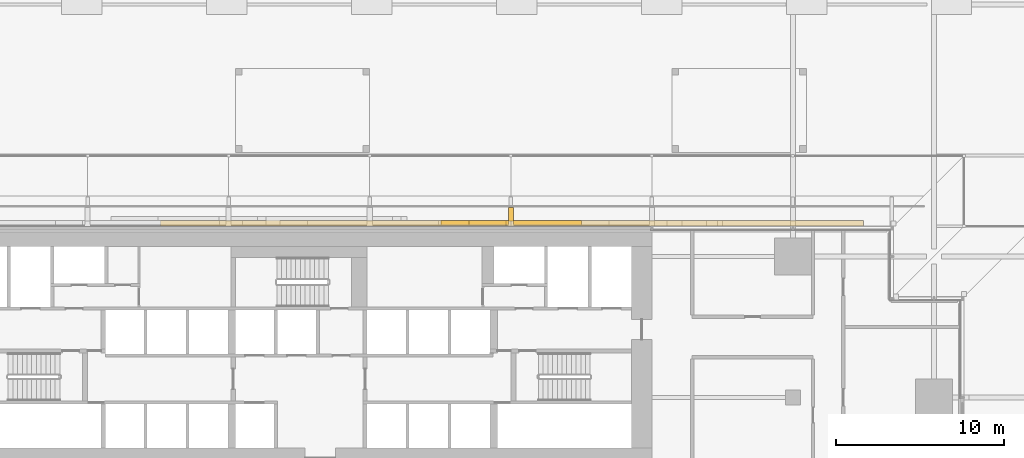
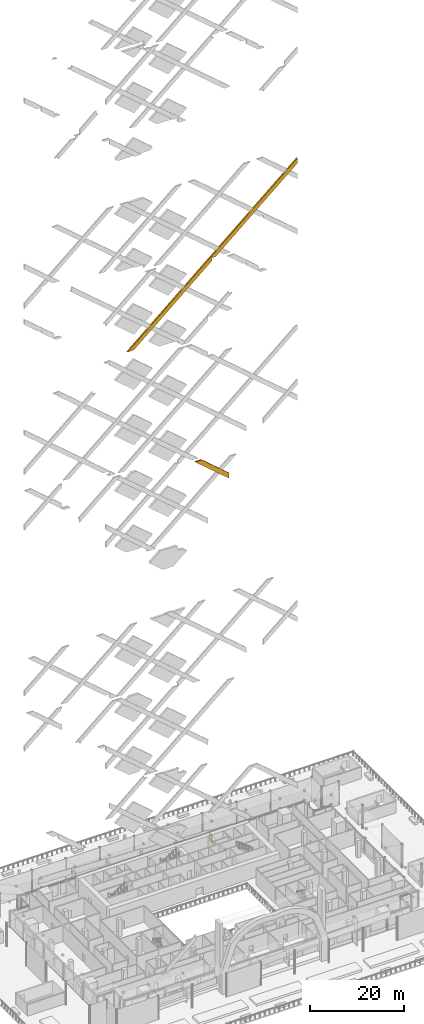
# One storey, part 51 of 60: 3 coverings.
"""IFC4 building model written with IfcOpenShell, lengths in metres."""

from ifc_helpers import new_model, si_unit, direction, frame, origin, origin_2d, place, context, subcontext, project, spatial, polyline, rectangle, outline, extrude, material, layer, layer_set, type_object, element, save


model = new_model("IFC4")

# Units and contexts
model_context = context("Model", 3, precision=1e-05, world=origin(), true_north=direction((0.0, 1.0)))
body_context = subcontext(model_context, "Body", "Model", "MODEL_VIEW")
ifc_project = project(units=[si_unit("LENGTHUNIT", "METRE"), si_unit("AREAUNIT", "SQUARE_METRE"), si_unit("VOLUMEUNIT", "CUBIC_METRE"), si_unit("PLANEANGLEUNIT", "RADIAN"), si_unit("MASSUNIT", "GRAM", prefix="KILO")], contexts=[model_context])

# Site, building, storey
site_placement = place(None, origin())
site = spatial("IfcSite", under=ifc_project, at=site_placement, CompositionType="ELEMENT")
building_placement = place(site_placement, origin())
building = spatial("IfcBuilding", under=site, at=building_placement, Name="Saffron Gate Tower", CompositionType="ELEMENT")
storey_placement = place(building_placement, frame((0.0, 0.0, 19.199951171875)))
storey = spatial("IfcBuildingStorey", under=building, at=storey_placement, Name="L03", CompositionType="ELEMENT", Elevation=19.199951171875)

# Coverings
ifc_material_1 = material(Name="Timber, thermally modified ash", Category="wood")
ifc_layer_1 = layer(ifc_material_1, 0.300048828125)
ifc_layer_set_1 = layer_set([ifc_layer_1], Name="LD3 ledge riser fin")
covering_type_1 = type_object("IfcCoveringType", Name="LD3 ledge riser fin", PredefinedType="CLADDING", material=ifc_layer_set_1)
covering_1_placement = place(storey_placement, frame((100.199951171875, 76.159912109375, 1.153076171875), z_axis=(0.0, 0.0, 1.0), x_axis=(-1.0, 0.0, 0.0)))
element("IfcCovering", 1, at=covering_1_placement, inside=storey, type_object=covering_type_1, Name="LEDGE riser fin", PredefinedType="CLADDING", context=body_context, shape_type="SweptSolid", body=[
    extrude(rectangle(XDim=0.300048828125, YDim=1.1201171875, at=origin_2d()), origin(), (0.0, 0.0, 1.0), 1.93115234375),
])
ifc_material_2 = material(Name="Ceramic-printed bronze insulated panel")
ifc_layer_2 = layer(ifc_material_2, 0.35009765625)
ifc_layer_set_2 = layer_set([ifc_layer_2], Name="LZ1 lozenge lattice bar 1600")
covering_type_2 = type_object("IfcCoveringType", Name="LZ1 lozenge lattice bar 1600", PredefinedType="CLADDING", material=ifc_layer_set_2)
covering_2_placement = place(storey_placement, frame((104.39990234375, 75.949951171875, 95.82861328125), z_axis=(0.0, 1.0, 0.0), x_axis=(0.0, 0.0, -1.0)))
element("IfcCovering", 2, at=covering_2_placement, inside=storey, type_object=covering_type_2, Name="CLADDING lozenge lattice bar", PredefinedType="CLADDING", context=body_context, shape_type="SweptSolid", body=[
    extrude(outline(polyline([(0.0, 0.0), (1.371337890625, 0.0), (-5.784912109375, 8.348876953125), (-5.7373046875, 6.693359375), (0.0, 0.0)])), origin(), (0.0, 0.0, -1.0), 0.35009765625),
])
covering_3_placement = place(storey_placement, frame((80.89208984375, 75.949951171875, 136.02197265625), z_axis=(0.0, 1.0, 0.0), x_axis=(-0.999588219337, 0.0, 0.028694803773)))
element("IfcCovering", 3, at=covering_3_placement, inside=storey, type_object=covering_type_2, Name="CLADDING lozenge lattice bar", PredefinedType="CLADDING", context=body_context, shape_type="SweptSolid", body=[
    extrude(outline(polyline([(0.0, 0.0), (1.548489200410268, 0.0), (-18.51169140287123, 18.218867310825452), (-18.79281273318883, 18.218877395763034), (-18.78567406008228, 18.467554250134118), (-39.26052019824057, 37.062733077420084), (-39.2998704699182, 35.69195987722148), (-27.12722324661201, 24.63669979579798), (-27.012280362992012, 24.633400173586807), (-27.015110612192252, 24.534807976171773), (-19.619831272866087, 17.81837134420288), (-18.804301863605655, 17.81865164388023), (-18.825024331759902, 17.09678104993551), (0.0, 0.0)])), origin(), (0.0, 0.0, -1.0), 0.35009765625),
])

save(model, "model.ifc")
